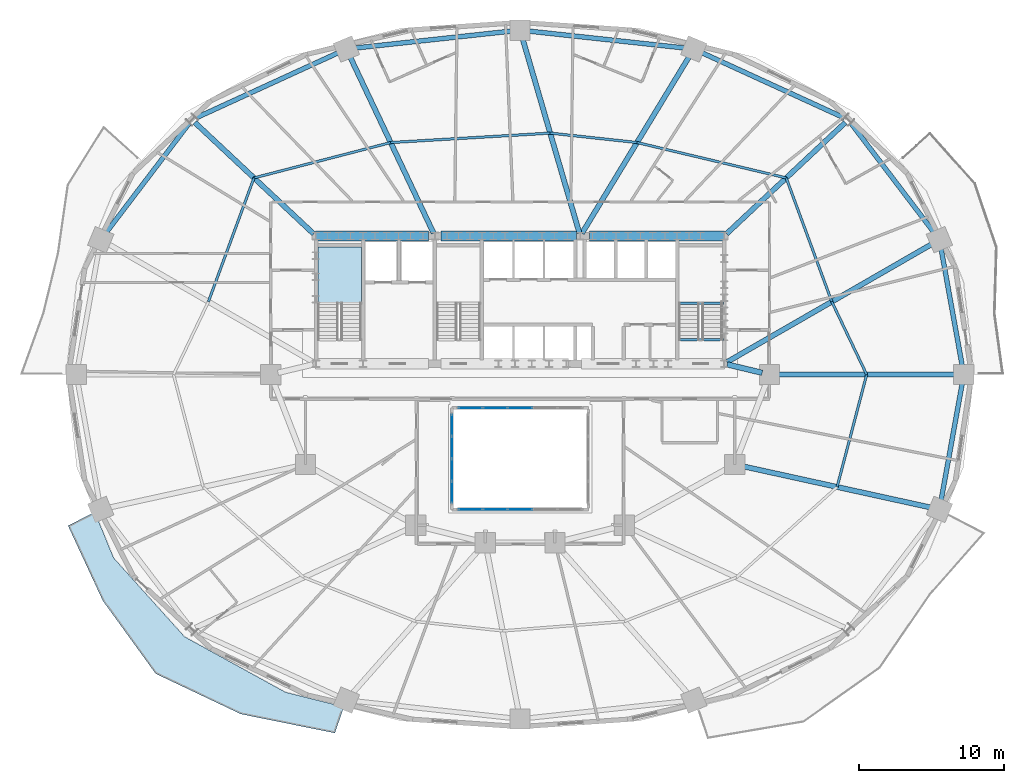
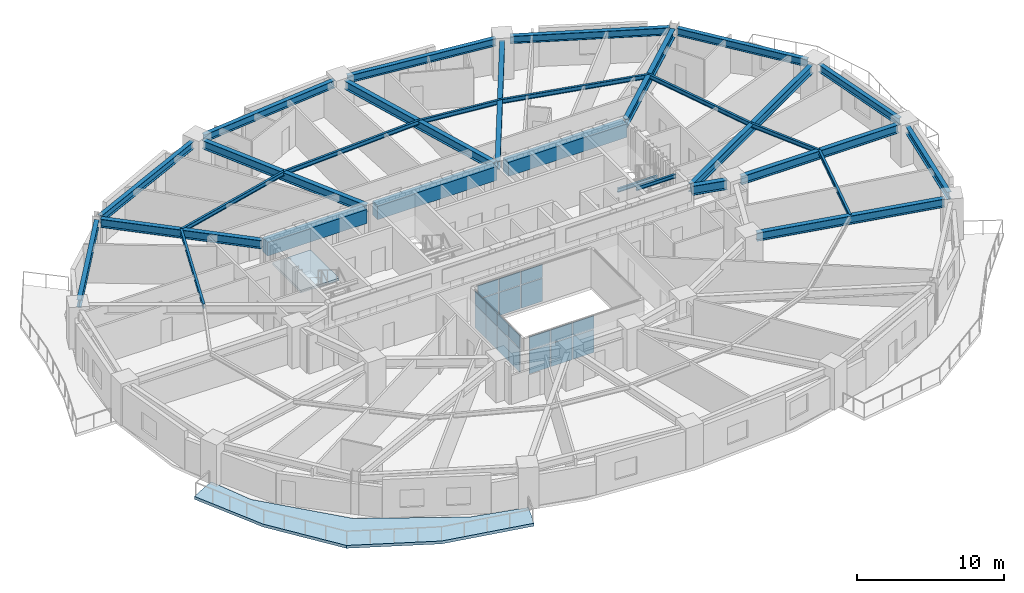
# One storey, part 6 of 16: 30 beams, 20 plates, 2 slabs, 4 elements without a shape of their own.
"""IFC4 building model written with IfcOpenShell, lengths in metres."""

from ifc_helpers import new_model, si_unit, direction, frame, origin, origin_2d, place, context, subcontext, project, spatial, polyline, rectangle, i_section, outline, extrude, material, layer, layer_set, material_profile, profile_set, type_object, element, aggregate, save


model = new_model("IFC4")

# Units and contexts
model_context = context("Model", 3, precision=1e-05, world=origin(), true_north=direction((0.0, 1.0)))
body_context = subcontext(model_context, "Body", "Model", "MODEL_VIEW")
ifc_project = project(units=[si_unit("LENGTHUNIT", "METRE"), si_unit("AREAUNIT", "SQUARE_METRE"), si_unit("VOLUMEUNIT", "CUBIC_METRE"), si_unit("PLANEANGLEUNIT", "RADIAN"), si_unit("MASSUNIT", "GRAM", prefix="KILO")], contexts=[model_context])

# Site, building, storey
site_placement = place(None, origin())
site = spatial("IfcSite", under=ifc_project, at=site_placement, CompositionType="ELEMENT")
building_placement = place(site_placement, origin())
building = spatial("IfcBuilding", under=site, at=building_placement, Name="Haldorwick Loom Tower", CompositionType="ELEMENT")
storey_placement = place(building_placement, frame((0.0, 0.0, 68.85009765625)))
storey = spatial("IfcBuildingStorey", under=building, at=storey_placement, Name="L18", CompositionType="ELEMENT", Elevation=68.85009765625)

# Beams
ifc_material_1 = material(Name="Concrete C60 (60 MPa)", Category="concrete")
ifc_material_profile_1 = material_profile(ifc_material_1, rectangle(XDim=0.699951171875, YDim=1.14990234375, at=origin_2d()), Name="RC700X1150", Category="concrete")
ifc_profile_set_1 = profile_set([ifc_material_profile_1], Name="Concrete C60 (60 MPa)")
beam_type_1 = type_object("IfcBeamType", Name="STR-BM-CB1150", PredefinedType="LINTEL", material=ifc_profile_set_1)
beam_1_placement = place(storey_placement, frame((21.89990234375, 35.550048828125, 2.614990234375), z_axis=(1.0, 0.0, 0.0), x_axis=(0.0, 1.0, 0.0)))
element("IfcBeam", 1, at=beam_1_placement, inside=storey, type_object=beam_type_1, Name="L18 Core Coupling Beam CB-N1", PredefinedType="LINTEL", context=body_context, shape_type="SweptSolid", body=[
    extrude(rectangle(XDim=0.699951171875, YDim=1.14990234375, at=origin_2d()), origin(), (0.0, 0.0, 1.0), 7.800048828125),
])
beam_2_placement = place(storey_placement, frame((30.550048828125, 35.550048828125, 2.614990234375), z_axis=(1.0, 0.0, 0.0), x_axis=(0.0, 1.0, 0.0)))
element("IfcBeam", 2, at=beam_2_placement, inside=storey, type_object=beam_type_1, Name="L18 Core Coupling Beam CB-N2", PredefinedType="LINTEL", context=body_context, shape_type="SweptSolid", body=[
    extrude(rectangle(XDim=0.699951171875, YDim=1.14990234375, at=origin_2d()), origin(), (0.0, 0.0, 1.0), 9.349853515625),
])
beam_3_placement = place(storey_placement, frame((40.800048828125, 35.550048828125, 2.614990234375), z_axis=(1.0, 0.0, 0.0), x_axis=(0.0, 1.0, 0.0)))
element("IfcBeam", 3, at=beam_3_placement, inside=storey, type_object=beam_type_1, Name="L18 Core Coupling Beam CB-N3", PredefinedType="LINTEL", context=body_context, shape_type="SweptSolid", body=[
    extrude(rectangle(XDim=0.699951171875, YDim=1.14990234375, at=origin_2d()), origin(), (0.0, 0.0, 1.0), 9.300048828125),
])
ifc_material_2 = material(Name="Steel CSA G40.21 350W", Category="steel")
ifc_material_profile_2 = material_profile(ifc_material_2, i_section(OverallWidth=0.172119140625, OverallDepth=0.35791015625, WebThickness=0.0078125, FlangeThickness=0.01318359375, at=origin_2d()), Name="W360X57", Category="steel")
ifc_profile_set_2 = profile_set([ifc_material_profile_2], Name="Steel CSA G40.21 350W")
beam_type_2 = type_object("IfcBeamType", Name="STR-BM-J360", PredefinedType="JOIST", material=ifc_profile_set_2)
beam_4_placement = place(storey_placement, frame((59.89794921875, 26.0, 3.010986328125), z_axis=(-0.431630738849, 0.902050389546, 0.0), x_axis=(-0.902050389546, -0.431630738849, 0.0)))
element("IfcBeam", 4, at=beam_4_placement, inside=storey, type_object=beam_type_2, Name="L18 Mid-Bay Secondary Joist 1", PredefinedType="JOIST", context=body_context, shape_type="SweptSolid", body=[
    extrude(i_section(OverallWidth=0.172119140625, OverallDepth=0.35791015625, WebThickness=0.0078125, FlangeThickness=0.01318359375, at=origin_2d()), origin(), (0.0, 0.0, 1.0), 5.5703125),
])
beam_5_placement = place(storey_placement, frame((57.49365234375, 31.024658203125, 3.010986328125), z_axis=(-0.345576005762, 0.938390763084, 0.0), x_axis=(-0.938390763084, -0.345576005762, 0.0)))
element("IfcBeam", 5, at=beam_5_placement, inside=storey, type_object=beam_type_2, Name="L18 Mid-Bay Secondary Joist 2", PredefinedType="JOIST", context=body_context, shape_type="SweptSolid", body=[
    extrude(i_section(OverallWidth=0.172119140625, OverallDepth=0.35791015625, WebThickness=0.0078125, FlangeThickness=0.01318359375, at=origin_2d()), origin(), (0.0, 0.0, 1.0), 9.0966796875),
])
beam_6_placement = place(storey_placement, frame((54.35009765625, 39.560791015625, 3.010986328125), z_axis=(-0.973016191143, 0.230736845289, 0.0), x_axis=(-0.230736845289, -0.973016191143, 0.0)))
element("IfcBeam", 6, at=beam_6_placement, inside=storey, type_object=beam_type_2, Name="L18 Mid-Bay Secondary Joist 3", PredefinedType="JOIST", context=body_context, shape_type="SweptSolid", body=[
    extrude(i_section(OverallWidth=0.172119140625, OverallDepth=0.35791015625, WebThickness=0.0078125, FlangeThickness=0.01318359375, at=origin_2d()), origin(), (0.0, 0.0, 1.0), 10.5712890625),
])
beam_7_placement = place(storey_placement, frame((44.06396484375, 42.0, 3.010986328125), z_axis=(-0.994163660215, 0.107882420753, 0.0), x_axis=(-0.107882420753, -0.994163660215, 0.0)))
element("IfcBeam", 7, at=beam_7_placement, inside=storey, type_object=beam_type_2, Name="L18 Mid-Bay Secondary Joist 4", PredefinedType="JOIST", context=body_context, shape_type="SweptSolid", body=[
    extrude(i_section(OverallWidth=0.172119140625, OverallDepth=0.35791015625, WebThickness=0.0078125, FlangeThickness=0.01318359375, at=origin_2d()), origin(), (0.0, 0.0, 1.0), 6.024169921875),
])
beam_8_placement = place(storey_placement, frame((38.074951171875, 42.64990234375, 3.010986328125), z_axis=(-0.998258904552, -0.058984400336, 0.0), x_axis=(0.058984400336, -0.998258904552, 0.0)))
element("IfcBeam", 8, at=beam_8_placement, inside=storey, type_object=beam_type_2, Name="L18 Mid-Bay Secondary Joist 5", PredefinedType="JOIST", context=body_context, shape_type="SweptSolid", body=[
    extrude(i_section(OverallWidth=0.172119140625, OverallDepth=0.35791015625, WebThickness=0.0078125, FlangeThickness=0.01318359375, at=origin_2d()), origin(), (0.0, 0.0, 1.0), 11.018310546875),
])
beam_9_placement = place(storey_placement, frame((27.075927734375, 42.0, 3.010986328125), z_axis=(-0.968110955806, -0.250521809927, 0.0), x_axis=(0.250521809927, -0.968110955806, 0.0)))
element("IfcBeam", 9, at=beam_9_placement, inside=storey, type_object=beam_type_2, Name="L18 Mid-Bay Secondary Joist 6", PredefinedType="JOIST", context=body_context, shape_type="SweptSolid", body=[
    extrude(i_section(OverallWidth=0.172119140625, OverallDepth=0.35791015625, WebThickness=0.0078125, FlangeThickness=0.01318359375, at=origin_2d()), origin(), (0.0, 0.0, 1.0), 9.736572265625),
])
beam_10_placement = place(storey_placement, frame((17.64990234375, 39.560791015625, 3.010986328125), z_axis=(-0.345576005762, -0.938390763084, 0.0), x_axis=(0.938390763084, -0.345576005762, 0.0)))
element("IfcBeam", 10, at=beam_10_placement, inside=storey, type_object=beam_type_2, Name="L18 Mid-Bay Secondary Joist 7", PredefinedType="JOIST", context=body_context, shape_type="SweptSolid", body=[
    extrude(i_section(OverallWidth=0.172119140625, OverallDepth=0.35791015625, WebThickness=0.0078125, FlangeThickness=0.01318359375, at=origin_2d()), origin(), (0.0, 0.0, 1.0), 9.0966796875),
])
beam_11_placement = place(storey_placement, frame((57.858642578125, 18.25048828125, 3.010986328125), z_axis=(0.2544888003, 0.967075721193, 0.0), x_axis=(-0.967075721193, 0.2544888003, 0.0)))
element("IfcBeam", 11, at=beam_11_placement, inside=storey, type_object=beam_type_2, Name="L18 Mid-Bay Secondary Joist 16", PredefinedType="JOIST", context=body_context, shape_type="SweptSolid", body=[
    extrude(i_section(OverallWidth=0.172119140625, OverallDepth=0.35791015625, WebThickness=0.0078125, FlangeThickness=0.01318359375, at=origin_2d()), origin(), (0.0, 0.0, 1.0), 8.013427734375),
])
ifc_material_profile_3 = material_profile(ifc_material_2, i_section(OverallWidth=0.324951171875, OverallDepth=0.615966796875, WebThickness=0.013916015625, FlangeThickness=0.021484375, at=origin_2d()), Name="W610X174", Category="steel")
ifc_profile_set_3 = profile_set([ifc_material_profile_3], Name="Steel CSA G40.21 350W")
beam_type_3 = type_object("IfcBeamType", Name="STR-BM-SP610", PredefinedType="SPANDREL", material=ifc_profile_set_3)
beam_12_placement = place(storey_placement, frame((66.503662109375, 26.51171875, 2.8818359375), z_axis=(-0.177641139482, 0.984095333575, 0.0), x_axis=(-0.984095333575, -0.177641139482, 0.0)))
element("IfcBeam", 12, at=beam_12_placement, inside=storey, type_object=beam_type_3, Name="L18 Perimeter Spandrel 1", PredefinedType="SPANDREL", context=body_context, shape_type="SweptSolid", body=[
    extrude(i_section(OverallWidth=0.324951171875, OverallDepth=0.615966796875, WebThickness=0.013916015625, FlangeThickness=0.021484375, at=origin_2d()), origin(), (0.0, 0.0, 1.0), 8.40966796875),
])
beam_13_placement = place(storey_placement, frame((64.602783203125, 35.713134765625, 2.8818359375), z_axis=(-0.605084557744, 0.796161213562, 0.0), x_axis=(-0.796161213562, -0.605084557744, 0.0)))
element("IfcBeam", 13, at=beam_13_placement, inside=storey, type_object=beam_type_3, Name="L18 Perimeter Spandrel 2", PredefinedType="SPANDREL", context=body_context, shape_type="SweptSolid", body=[
    extrude(i_section(OverallWidth=0.324951171875, OverallDepth=0.615966796875, WebThickness=0.013916015625, FlangeThickness=0.021484375, at=origin_2d()), origin(), (0.0, 0.0, 1.0), 9.595703125),
])
beam_14_placement = place(storey_placement, frame((58.380126953125, 43.68603515625, 2.8818359375), z_axis=(-0.909173805321, 0.416416848504, 0.0), x_axis=(-0.416416848504, -0.909173805321, 0.0)))
element("IfcBeam", 14, at=beam_14_placement, inside=storey, type_object=beam_type_3, Name="L18 Perimeter Spandrel 3", PredefinedType="SPANDREL", context=body_context, shape_type="SweptSolid", body=[
    extrude(i_section(OverallWidth=0.324951171875, OverallDepth=0.615966796875, WebThickness=0.013916015625, FlangeThickness=0.021484375, at=origin_2d()), origin(), (0.0, 0.0, 1.0), 10.92138671875),
])
for number, where, z_axis, x_axis, name in (
    (15, (47.4609375, 48.50634765625, 2.8818359375), (-0.994164438636, 0.107875247167, 0.0), (-0.107875247167, -0.994164438636, 0.0), "L18 Perimeter Spandrel 4"),
    (16, (35.48291015625, 49.69384765625, 2.8818359375), (-0.994164438636, -0.107875247167, 0.0), (0.107875247167, -0.994164438636, 0.0), "L18 Perimeter Spandrel 5"),
):
    element("IfcBeam", number, at=place(storey_placement, frame(where, z_axis=z_axis, x_axis=x_axis)), inside=storey, type_object=beam_type_3, Name=name, PredefinedType="SPANDREL", context=body_context, shape_type="SweptSolid", body=[
        extrude(i_section(OverallWidth=0.324951171875, OverallDepth=0.615966796875, WebThickness=0.013916015625, FlangeThickness=0.021484375, at=origin_2d()), origin(), (0.0, 0.0, 1.0), 11.008056640625),
    ])
beam_15_placement = place(storey_placement, frame((23.54931640625, 48.23388671875, 2.8818359375), z_axis=(-0.909173805321, -0.416416848504, 0.0), x_axis=(0.416416848504, -0.909173805321, 0.0)))
element("IfcBeam", 17, at=beam_15_placement, inside=storey, type_object=beam_type_3, Name="L18 Perimeter Spandrel 6", PredefinedType="SPANDREL", context=body_context, shape_type="SweptSolid", body=[
    extrude(i_section(OverallWidth=0.324951171875, OverallDepth=0.615966796875, WebThickness=0.013916015625, FlangeThickness=0.021484375, at=origin_2d()), origin(), (0.0, 0.0, 1.0), 10.92138671875),
])
beam_16_placement = place(storey_placement, frame((13.203369140625, 43.352783203125, 2.8818359375), z_axis=(-0.605084557744, -0.796161213562, 0.0), x_axis=(0.796161213562, -0.605084557744, 0.0)))
element("IfcBeam", 18, at=beam_16_placement, inside=storey, type_object=beam_type_3, Name="L18 Perimeter Spandrel 7", PredefinedType="SPANDREL", context=body_context, shape_type="SweptSolid", body=[
    extrude(i_section(OverallWidth=0.324951171875, OverallDepth=0.615966796875, WebThickness=0.013916015625, FlangeThickness=0.021484375, at=origin_2d()), origin(), (0.0, 0.0, 1.0), 9.595703125),
])
beam_17_placement = place(storey_placement, frame((65.009765625, 17.21240234375, 2.8818359375), z_axis=(0.177641139482, 0.984095333575, 0.0), x_axis=(-0.984095333575, 0.177641139482, 0.0)))
element("IfcBeam", 19, at=beam_17_placement, inside=storey, type_object=beam_type_3, Name="L18 Perimeter Spandrel 16", PredefinedType="SPANDREL", context=body_context, shape_type="SweptSolid", body=[
    extrude(i_section(OverallWidth=0.324951171875, OverallDepth=0.615966796875, WebThickness=0.013916015625, FlangeThickness=0.021484375, at=origin_2d()), origin(), (0.0, 0.0, 1.0), 8.40966796875),
])
ifc_material_profile_4 = material_profile(ifc_material_2, i_section(OverallWidth=0.166015625, OverallDepth=0.31298828125, WebThickness=0.006591796875, FlangeThickness=0.01123046875, at=origin_2d()), Name="W310X45", Category="steel")
ifc_profile_set_4 = profile_set([ifc_material_profile_4], Name="Steel CSA G40.21 350W")
beam_type_4 = type_object("IfcBeamType", Name="STR-BM-STRM", PredefinedType="BEAM", material=ifc_profile_set_4)
for number, where, z_axis, x_axis, name in (
    (20, (46.889892578125, 28.39990234375, 3.033447265625), (1.0, 0.0, 0.0), (0.0, 1.0, 0.0), "L18 Stair ST-02 Landing Edge Trimmer"),
    (21, (46.889892578125, 30.919921875, 1.368408203125), (1.0, 0.0, 0.0), (0.0, 1.0, 0.0), "L18 Stair ST-02 Half-Landing Trimmer 1"),
):
    element("IfcBeam", number, at=place(storey_placement, frame(where, z_axis=z_axis, x_axis=x_axis)), inside=storey, type_object=beam_type_4, Name=name, PredefinedType="BEAM", context=body_context, shape_type="SweptSolid", body=[
        extrude(i_section(OverallWidth=0.166015625, OverallDepth=0.31298828125, WebThickness=0.006591796875, FlangeThickness=0.01123046875, at=origin_2d()), origin(), (0.0, 0.0, 1.0), 3.1201171875),
    ])
ifc_material_profile_5 = material_profile(ifc_material_2, i_section(OverallWidth=0.35498046875, OverallDepth=0.695068359375, WebThickness=0.015380859375, FlangeThickness=0.02490234375, at=origin_2d()), Name="W690X217", Category="steel")
ifc_profile_set_5 = profile_set([ifc_material_profile_5], Name="Steel CSA G40.21 350W")
beam_type_5 = type_object("IfcBeamType", Name="STR-BM-W690", PredefinedType="BEAM", material=ifc_profile_set_5)
beam_18_placement = place(storey_placement, frame((53.719970703125, 26.0, 2.84228515625), z_axis=(1.0, 0.0, 0.0), x_axis=(0.0, 1.0, 0.0)))
element("IfcBeam", 22, at=beam_18_placement, inside=storey, type_object=beam_type_5, Name="L18 Radial Floor Girder 1", PredefinedType="BEAM", context=body_context, shape_type="SweptSolid", body=[
    extrude(i_section(OverallWidth=0.35498046875, OverallDepth=0.695068359375, WebThickness=0.015380859375, FlangeThickness=0.02490234375, at=origin_2d()), origin(), (0.0, 0.0, 1.0), 12.35595703125),
])
beam_19_placement = place(storey_placement, frame((50.264892578125, 26.8623046875, 2.84228515625), z_axis=(0.86660566838, 0.498993602696, 0.0), x_axis=(-0.498993602696, 0.86660566838, 0.0)))
element("IfcBeam", 23, at=beam_19_placement, inside=storey, type_object=beam_type_5, Name="L18 Radial Floor Girder 2", PredefinedType="BEAM", context=body_context, shape_type="SweptSolid", body=[
    extrude(i_section(OverallWidth=0.35498046875, OverallDepth=0.695068359375, WebThickness=0.015380859375, FlangeThickness=0.02490234375, at=origin_2d()), origin(), (0.0, 0.0, 1.0), 16.387939453125),
])
beam_20_placement = place(storey_placement, frame((50.234130859375, 35.703857421875, 2.84228515625), z_axis=(0.729689033278, 0.683779141766, 0.0), x_axis=(-0.683779141766, 0.729689033278, 0.0)))
element("IfcBeam", 24, at=beam_20_placement, inside=storey, type_object=beam_type_5, Name="L18 Radial Floor Girder 3", PredefinedType="BEAM", context=body_context, shape_type="SweptSolid", body=[
    extrude(i_section(OverallWidth=0.35498046875, OverallDepth=0.695068359375, WebThickness=0.015380859375, FlangeThickness=0.02490234375, at=origin_2d()), origin(), (0.0, 0.0, 1.0), 11.231201171875),
])
beam_21_placement = place(storey_placement, frame((40.2666015625, 35.742431640625, 2.84228515625), z_axis=(0.518781813409, 0.854906679162, 0.0), x_axis=(-0.854906679162, 0.518781813409, 0.0)))
element("IfcBeam", 25, at=beam_21_placement, inside=storey, type_object=beam_type_5, Name="L18 Radial Floor Girder 4", PredefinedType="BEAM", context=body_context, shape_type="SweptSolid", body=[
    extrude(i_section(OverallWidth=0.35498046875, OverallDepth=0.695068359375, WebThickness=0.015380859375, FlangeThickness=0.02490234375, at=origin_2d()), origin(), (0.0, 0.0, 1.0), 14.344482421875),
])
beam_22_placement = place(storey_placement, frame((40.0869140625, 35.76611328125, 2.84228515625), z_axis=(-0.28051378914, 0.959849995625, 0.0), x_axis=(-0.959849995625, -0.28051378914, 0.0)))
element("IfcBeam", 26, at=beam_22_placement, inside=storey, type_object=beam_type_5, Name="L18 Radial Floor Girder 5", PredefinedType="BEAM", context=body_context, shape_type="SweptSolid", body=[
    extrude(i_section(OverallWidth=0.35498046875, OverallDepth=0.695068359375, WebThickness=0.015380859375, FlangeThickness=0.02490234375, at=origin_2d()), origin(), (0.0, 0.0, 1.0), 14.048828125),
])
beam_23_placement = place(storey_placement, frame((30.03369140625, 35.75341796875, 2.84228515625), z_axis=(-0.427945149389, 0.903804707398, 0.0), x_axis=(-0.903804707398, -0.427945149389, 0.0)))
element("IfcBeam", 27, at=beam_23_placement, inside=storey, type_object=beam_type_5, Name="L18 Radial Floor Girder 6", PredefinedType="BEAM", context=body_context, shape_type="SweptSolid", body=[
    extrude(i_section(OverallWidth=0.35498046875, OverallDepth=0.695068359375, WebThickness=0.015380859375, FlangeThickness=0.02490234375, at=origin_2d()), origin(), (0.0, 0.0, 1.0), 13.528076171875),
])
beam_24_placement = place(storey_placement, frame((21.765869140625, 35.703857421875, 2.84228515625), z_axis=(-0.729689033278, 0.683779141766, 0.0), x_axis=(-0.683779141766, -0.729689033278, 0.0)))
element("IfcBeam", 28, at=beam_24_placement, inside=storey, type_object=beam_type_5, Name="L18 Radial Floor Girder 7", PredefinedType="BEAM", context=body_context, shape_type="SweptSolid", body=[
    extrude(i_section(OverallWidth=0.35498046875, OverallDepth=0.695068359375, WebThickness=0.015380859375, FlangeThickness=0.02490234375, at=origin_2d()), origin(), (0.0, 0.0, 1.0), 11.231201171875),
])
beam_25_placement = place(storey_placement, frame((51.307861328125, 19.6884765625, 2.84228515625), z_axis=(0.976740159434, -0.214426353203, 0.0), x_axis=(0.214426353203, 0.976740159434, 0.0)))
element("IfcBeam", 29, at=beam_25_placement, inside=storey, type_object=beam_type_5, Name="L18 Radial Floor Girder 16", PredefinedType="BEAM", context=body_context, shape_type="SweptSolid", body=[
    extrude(i_section(OverallWidth=0.35498046875, OverallDepth=0.695068359375, WebThickness=0.015380859375, FlangeThickness=0.02490234375, at=origin_2d()), origin(), (0.0, 0.0, 1.0), 13.41357421875),
])
ifc_material_profile_6 = material_profile(ifc_material_2, i_section(OverallWidth=0.381103515625, OverallDepth=0.77294921875, WebThickness=0.0166015625, FlangeThickness=0.027587890625, at=origin_2d()), Name="W760X257", Category="steel")
ifc_profile_set_6 = profile_set([ifc_material_profile_6], Name="Steel CSA G40.21 350W")
beam_type_6 = type_object("IfcBeamType", Name="STR-BM-W760", PredefinedType="BEAM", material=ifc_profile_set_6)
beam_26_placement = place(storey_placement, frame((50.288818359375, 26.697509765625, 2.803466796875), z_axis=(0.97247055837, -0.233025777764, 0.0), x_axis=(0.233025777764, 0.97247055837, 0.0)))
element("IfcBeam", 30, at=beam_26_placement, inside=storey, type_object=beam_type_6, Name="L18 Inner Ring Girder 1", PredefinedType="BEAM", context=body_context, shape_type="SweptSolid", body=[
    extrude(i_section(OverallWidth=0.381103515625, OverallDepth=0.77294921875, WebThickness=0.0166015625, FlangeThickness=0.027587890625, at=origin_2d()), origin(), (0.0, 0.0, 1.0), 2.4736328125),
])

# Curtain wall, plates
ifc_material_3 = material(Name="Thermally Broken Anodized Aluminium Curtain Wall Framing", Category="aluminium")
curtain_wall_type = type_object("IfcCurtainWallType", Name="ARC-CW-03", PredefinedType="NOTDEFINED", material=ifc_material_3)
curtain_wall_1_placement = place(storey_placement, origin())
curtain_wall_1 = element("IfcCurtainWall", 31, at=curtain_wall_1_placement, inside=storey, type_object=curtain_wall_type, Name="L18 Atrium Glazed Screen S", PredefinedType="NOTDEFINED")
ifc_material_4 = material(Name="Triple-Glazed Low-E Argon Insulated Glazing Unit", Category="glass")
ifc_layer_1 = layer(ifc_material_4, 0.04296875, Name="Triple-Glazed Low-E Argon Insulated Glazing Unit", Category="glass")
ifc_layer_set_1 = layer_set([ifc_layer_1], Name="Triple-Glazed Low-E Argon Insulated Glazing Unit")
plate_type = type_object("IfcPlateType", Name="ARC-CWP-03", PredefinedType="CURTAIN_PANEL", material=ifc_layer_set_1)
plate_1_placement = place(storey_placement, frame((36.0, 16.699951171875, 0.06591796875), z_axis=(0.0, 0.0, 1.0), x_axis=(-1.0, 0.0, 0.0)))
plate_1 = element("IfcPlate", 32, at=plate_1_placement, type_object=plate_type, Name="CW-03 panel 3.1", PredefinedType="CURTAIN_PANEL", context=body_context, shape_type="SweptSolid", body=[
    extrude(rectangle(XDim=1.654052734375, YDim=0.04296875, at=origin_2d()), origin(), (0.0, 0.0, 1.0), 1.90087890625),
])
plate_2_placement = place(storey_placement, frame((36.0, 16.699951171875, 2.03271484375), z_axis=(0.0, 0.0, 1.0), x_axis=(-1.0, 0.0, 0.0)))
plate_2 = element("IfcPlate", 33, at=plate_2_placement, type_object=plate_type, Name="CW-03 panel 3.2", PredefinedType="CURTAIN_PANEL", context=body_context, shape_type="SweptSolid", body=[
    extrude(rectangle(XDim=1.654052734375, YDim=0.04296875, at=origin_2d()), origin(), (0.0, 0.0, 1.0), 1.091064453125),
])
plate_3_placement = place(storey_placement, frame((34.280029296875, 16.699951171875, 0.06591796875), z_axis=(0.0, 0.0, 1.0), x_axis=(-1.0, 0.0, 0.0)))
plate_3 = element("IfcPlate", 34, at=plate_3_placement, type_object=plate_type, Name="CW-03 panel 4.1", PredefinedType="CURTAIN_PANEL", context=body_context, shape_type="SweptSolid", body=[
    extrude(rectangle(XDim=1.654052734375, YDim=0.04296875, at=origin_2d()), origin(), (0.0, 0.0, 1.0), 1.90087890625),
])
plate_4_placement = place(storey_placement, frame((34.280029296875, 16.699951171875, 2.03271484375), z_axis=(0.0, 0.0, 1.0), x_axis=(-1.0, 0.0, 0.0)))
plate_4 = element("IfcPlate", 35, at=plate_4_placement, type_object=plate_type, Name="CW-03 panel 4.2", PredefinedType="CURTAIN_PANEL", context=body_context, shape_type="SweptSolid", body=[
    extrude(rectangle(XDim=1.654052734375, YDim=0.04296875, at=origin_2d()), origin(), (0.0, 0.0, 1.0), 1.091064453125),
])
plate_5_placement = place(storey_placement, frame((32.576416015625, 16.699951171875, 0.06591796875), z_axis=(0.0, 0.0, 1.0), x_axis=(-1.0, 0.0, 0.0)))
plate_5 = element("IfcPlate", 36, at=plate_5_placement, type_object=plate_type, Name="CW-03 panel 5.1", PredefinedType="CURTAIN_PANEL", context=body_context, shape_type="SweptSolid", body=[
    extrude(rectangle(XDim=1.62109375, YDim=0.04296875, at=origin_2d()), origin(), (0.0, 0.0, 1.0), 1.90087890625),
])
plate_6_placement = place(storey_placement, frame((32.576416015625, 16.699951171875, 2.03271484375), z_axis=(0.0, 0.0, 1.0), x_axis=(-1.0, 0.0, 0.0)))
plate_6 = element("IfcPlate", 37, at=plate_6_placement, type_object=plate_type, Name="CW-03 panel 5.2", PredefinedType="CURTAIN_PANEL", context=body_context, shape_type="SweptSolid", body=[
    extrude(rectangle(XDim=1.62109375, YDim=0.04296875, at=origin_2d()), origin(), (0.0, 0.0, 1.0), 1.091064453125),
])
aggregate(curtain_wall_1, [plate_1, plate_2, plate_3, plate_4, plate_5, plate_6])

curtain_wall_2_placement = place(storey_placement, origin())
curtain_wall_2 = element("IfcCurtainWall", 38, at=curtain_wall_2_placement, inside=storey, type_object=curtain_wall_type, Name="L18 Atrium Glazed Screen N", PredefinedType="NOTDEFINED")
plate_7_placement = place(storey_placement, frame((32.576416015625, 23.699951171875, 0.06591796875), z_axis=(0.0, 0.0, 1.0), x_axis=(1.0, 0.0, 0.0)))
plate_7 = element("IfcPlate", 39, at=plate_7_placement, type_object=plate_type, Name="CW-03 panel 1.1", PredefinedType="CURTAIN_PANEL", context=body_context, shape_type="SweptSolid", body=[
    extrude(rectangle(XDim=1.62109375, YDim=0.04296875, at=origin_2d()), origin(), (0.0, 0.0, 1.0), 1.90087890625),
])
plate_8_placement = place(storey_placement, frame((32.576416015625, 23.699951171875, 2.03271484375), z_axis=(0.0, 0.0, 1.0), x_axis=(1.0, 0.0, 0.0)))
plate_8 = element("IfcPlate", 40, at=plate_8_placement, type_object=plate_type, Name="CW-03 panel 1.2", PredefinedType="CURTAIN_PANEL", context=body_context, shape_type="SweptSolid", body=[
    extrude(rectangle(XDim=1.62109375, YDim=0.04296875, at=origin_2d()), origin(), (0.0, 0.0, 1.0), 1.091064453125),
])
plate_9_placement = place(storey_placement, frame((34.280029296875, 23.699951171875, 0.06591796875), z_axis=(0.0, 0.0, 1.0), x_axis=(1.0, 0.0, 0.0)))
plate_9 = element("IfcPlate", 41, at=plate_9_placement, type_object=plate_type, Name="CW-03 panel 2.1", PredefinedType="CURTAIN_PANEL", context=body_context, shape_type="SweptSolid", body=[
    extrude(rectangle(XDim=1.654052734375, YDim=0.04296875, at=origin_2d()), origin(), (0.0, 0.0, 1.0), 1.90087890625),
])
plate_10_placement = place(storey_placement, frame((34.280029296875, 23.699951171875, 2.03271484375), z_axis=(0.0, 0.0, 1.0), x_axis=(1.0, 0.0, 0.0)))
plate_10 = element("IfcPlate", 42, at=plate_10_placement, type_object=plate_type, Name="CW-03 panel 2.2", PredefinedType="CURTAIN_PANEL", context=body_context, shape_type="SweptSolid", body=[
    extrude(rectangle(XDim=1.654052734375, YDim=0.04296875, at=origin_2d()), origin(), (0.0, 0.0, 1.0), 1.091064453125),
])
plate_11_placement = place(storey_placement, frame((36.0, 23.699951171875, 0.06591796875), z_axis=(0.0, 0.0, 1.0), x_axis=(1.0, 0.0, 0.0)))
plate_11 = element("IfcPlate", 43, at=plate_11_placement, type_object=plate_type, Name="CW-03 panel 3.1", PredefinedType="CURTAIN_PANEL", context=body_context, shape_type="SweptSolid", body=[
    extrude(rectangle(XDim=1.654052734375, YDim=0.04296875, at=origin_2d()), origin(), (0.0, 0.0, 1.0), 1.90087890625),
])
plate_12_placement = place(storey_placement, frame((36.0, 23.699951171875, 2.03271484375), z_axis=(0.0, 0.0, 1.0), x_axis=(1.0, 0.0, 0.0)))
plate_12 = element("IfcPlate", 44, at=plate_12_placement, type_object=plate_type, Name="CW-03 panel 3.2", PredefinedType="CURTAIN_PANEL", context=body_context, shape_type="SweptSolid", body=[
    extrude(rectangle(XDim=1.654052734375, YDim=0.04296875, at=origin_2d()), origin(), (0.0, 0.0, 1.0), 1.091064453125),
])
aggregate(curtain_wall_2, [plate_7, plate_8, plate_9, plate_10, plate_11, plate_12])

curtain_wall_3_placement = place(storey_placement, origin())
curtain_wall_3 = element("IfcCurtainWall", 45, at=curtain_wall_3_placement, inside=storey, type_object=curtain_wall_type, Name="L18 Atrium Glazed Screen W", PredefinedType="NOTDEFINED")
plate_13_placement = place(storey_placement, frame((31.300048828125, 17.8916015625, 0.06591796875), z_axis=(0.0, 0.0, 1.0), x_axis=(0.0, 1.0, 0.0)))
plate_13 = element("IfcPlate", 46, at=plate_13_placement, type_object=plate_type, Name="CW-03 panel 1.1", PredefinedType="CURTAIN_PANEL", context=body_context, shape_type="SweptSolid", body=[
    extrude(rectangle(XDim=1.450927734375, YDim=0.04296875, at=origin_2d()), origin(), (0.0, 0.0, 1.0), 1.90087890625),
])
plate_14_placement = place(storey_placement, frame((31.300048828125, 17.8916015625, 2.03271484375), z_axis=(0.0, 0.0, 1.0), x_axis=(0.0, 1.0, 0.0)))
plate_14 = element("IfcPlate", 47, at=plate_14_placement, type_object=plate_type, Name="CW-03 panel 1.2", PredefinedType="CURTAIN_PANEL", context=body_context, shape_type="SweptSolid", body=[
    extrude(rectangle(XDim=1.450927734375, YDim=0.04296875, at=origin_2d()), origin(), (0.0, 0.0, 1.0), 1.091064453125),
])
plate_15_placement = place(storey_placement, frame((31.300048828125, 19.425048828125, 0.06591796875), z_axis=(0.0, 0.0, 1.0), x_axis=(0.0, 1.0, 0.0)))
plate_15 = element("IfcPlate", 48, at=plate_15_placement, type_object=plate_type, Name="CW-03 panel 2.1", PredefinedType="CURTAIN_PANEL", context=body_context, shape_type="SweptSolid", body=[
    extrude(rectangle(XDim=1.48388671875, YDim=0.04296875, at=origin_2d()), origin(), (0.0, 0.0, 1.0), 1.90087890625),
])
plate_16_placement = place(storey_placement, frame((31.300048828125, 19.425048828125, 2.03271484375), z_axis=(0.0, 0.0, 1.0), x_axis=(0.0, 1.0, 0.0)))
plate_16 = element("IfcPlate", 49, at=plate_16_placement, type_object=plate_type, Name="CW-03 panel 2.2", PredefinedType="CURTAIN_PANEL", context=body_context, shape_type="SweptSolid", body=[
    extrude(rectangle(XDim=1.48388671875, YDim=0.04296875, at=origin_2d()), origin(), (0.0, 0.0, 1.0), 1.091064453125),
])
plate_17_placement = place(storey_placement, frame((31.300048828125, 20.97509765625, 0.06591796875), z_axis=(0.0, 0.0, 1.0), x_axis=(0.0, 1.0, 0.0)))
plate_17 = element("IfcPlate", 50, at=plate_17_placement, type_object=plate_type, Name="CW-03 panel 3.1", PredefinedType="CURTAIN_PANEL", context=body_context, shape_type="SweptSolid", body=[
    extrude(rectangle(XDim=1.48388671875, YDim=0.04296875, at=origin_2d()), origin(), (0.0, 0.0, 1.0), 1.90087890625),
])
plate_18_placement = place(storey_placement, frame((31.300048828125, 20.97509765625, 2.03271484375), z_axis=(0.0, 0.0, 1.0), x_axis=(0.0, 1.0, 0.0)))
plate_18 = element("IfcPlate", 51, at=plate_18_placement, type_object=plate_type, Name="CW-03 panel 3.2", PredefinedType="CURTAIN_PANEL", context=body_context, shape_type="SweptSolid", body=[
    extrude(rectangle(XDim=1.48388671875, YDim=0.04296875, at=origin_2d()), origin(), (0.0, 0.0, 1.0), 1.091064453125),
])
plate_19_placement = place(storey_placement, frame((31.300048828125, 22.508544921875, 0.06591796875), z_axis=(0.0, 0.0, 1.0), x_axis=(0.0, 1.0, 0.0)))
plate_19 = element("IfcPlate", 52, at=plate_19_placement, type_object=plate_type, Name="CW-03 panel 4.1", PredefinedType="CURTAIN_PANEL", context=body_context, shape_type="SweptSolid", body=[
    extrude(rectangle(XDim=1.450927734375, YDim=0.04296875, at=origin_2d()), origin(), (0.0, 0.0, 1.0), 1.90087890625),
])
plate_20_placement = place(storey_placement, frame((31.300048828125, 22.508544921875, 2.03271484375), z_axis=(0.0, 0.0, 1.0), x_axis=(0.0, 1.0, 0.0)))
plate_20 = element("IfcPlate", 53, at=plate_20_placement, type_object=plate_type, Name="CW-03 panel 4.2", PredefinedType="CURTAIN_PANEL", context=body_context, shape_type="SweptSolid", body=[
    extrude(rectangle(XDim=1.450927734375, YDim=0.04296875, at=origin_2d()), origin(), (0.0, 0.0, 1.0), 1.091064453125),
])
aggregate(curtain_wall_3, [plate_13, plate_14, plate_15, plate_16, plate_17, plate_18, plate_19, plate_20])

# Slab
ifc_material_5 = material(Name="Concrete C40 (40 MPa)", Category="concrete")
ifc_layer_2 = layer(ifc_material_5, 0.239990234375, Name="Concrete C40 (40 MPa)", Category="concrete")
ifc_layer_set_2 = layer_set([ifc_layer_2], Name="Concrete C40 (40 MPa)")
slab_type_1 = type_object("IfcSlabType", Name="STR-SLB-BAL240", PredefinedType="FLOOR", material=ifc_layer_set_2)
slab_1_placement = place(storey_placement, frame((0.0, 0.0, -0.239990234375)))
element("IfcSlab", 54, at=slab_1_placement, inside=storey, type_object=slab_type_1, Name="L18 Sinusoidal Balcony Terrace BAL_SW", PredefinedType="FLOOR", context=body_context, shape_type="SweptSolid", body=[
    extrude(outline(polyline([(23.8466796875, 3.09130859375), (19.8203125, 4.0966796875), (19.819091796875, 4.096923828125), (19.81787109375, 4.097412109375), (19.81689453125, 4.09814453125), (12.86767578125, 7.92041015625), (12.8662109375, 7.921142578125), (12.86474609375, 7.922119140625), (12.86376953125, 7.92333984375), (7.97119140625, 13.3525390625), (7.97021484375, 13.353515625), (7.969482421875, 13.3544921875), (7.968994140625, 13.355712890625), (7.968505859375, 13.356689453125), (6.67529296875, 16.51806640625), (4.827880859375, 15.580322265625), (7.230224609375, 10.39892578125), (10.873779296875, 5.372314453125), (16.745361328125, 2.591552734375), (23.228759765625, 1.279541015625), (23.8466796875, 3.09130859375)])), origin(), (0.0, 0.0, 1.0), 0.239990234375),
])

# Stair, slab
stair_type = type_object("IfcStairType", Name="STR-STR-CORE", PredefinedType="HALF_TURN_STAIR", material=ifc_material_5)
stair_placement = place(storey_placement, origin())
stair = element("IfcStair", 55, at=stair_placement, inside=storey, type_object=stair_type, Name="L18 Exit Stair ST-01", PredefinedType="HALF_TURN_STAIR")
ifc_layer_3 = layer(ifc_material_5, 0.199951171875, Name="Concrete C40 (40 MPa)", Category="concrete")
ifc_layer_set_3 = layer_set([ifc_layer_3], Name="Concrete C40 (40 MPa)")
slab_type_2 = type_object("IfcSlabType", Name="STR-SLB-LAND200", PredefinedType="LANDING", material=ifc_layer_set_3)
slab_2_placement = place(storey_placement, frame((0.0, 0.0, 1.52490234375)))
slab_2 = element("IfcSlab", 56, at=slab_2_placement, type_object=slab_type_2, Name="ST-01 landing 1", PredefinedType="LANDING", context=body_context, shape_type="SweptSolid", body=[
    extrude(outline(polyline([(25.050048828125, 30.919921875), (25.050048828125, 34.800048828125), (22.050048828125, 34.800048828125), (22.050048828125, 30.919921875), (25.050048828125, 30.919921875)])), origin(), (0.0, 0.0, 1.0), 0.199951171875),
])
aggregate(stair, [slab_2])

save(model, "model.ifc")
